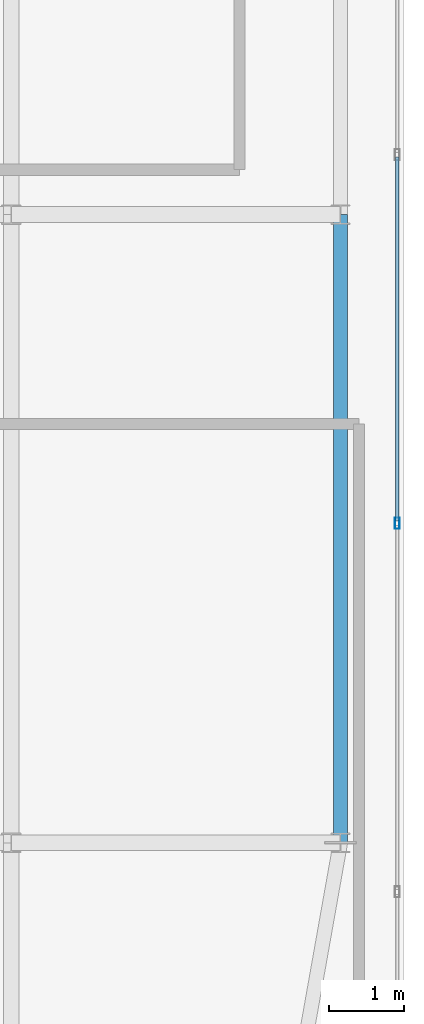
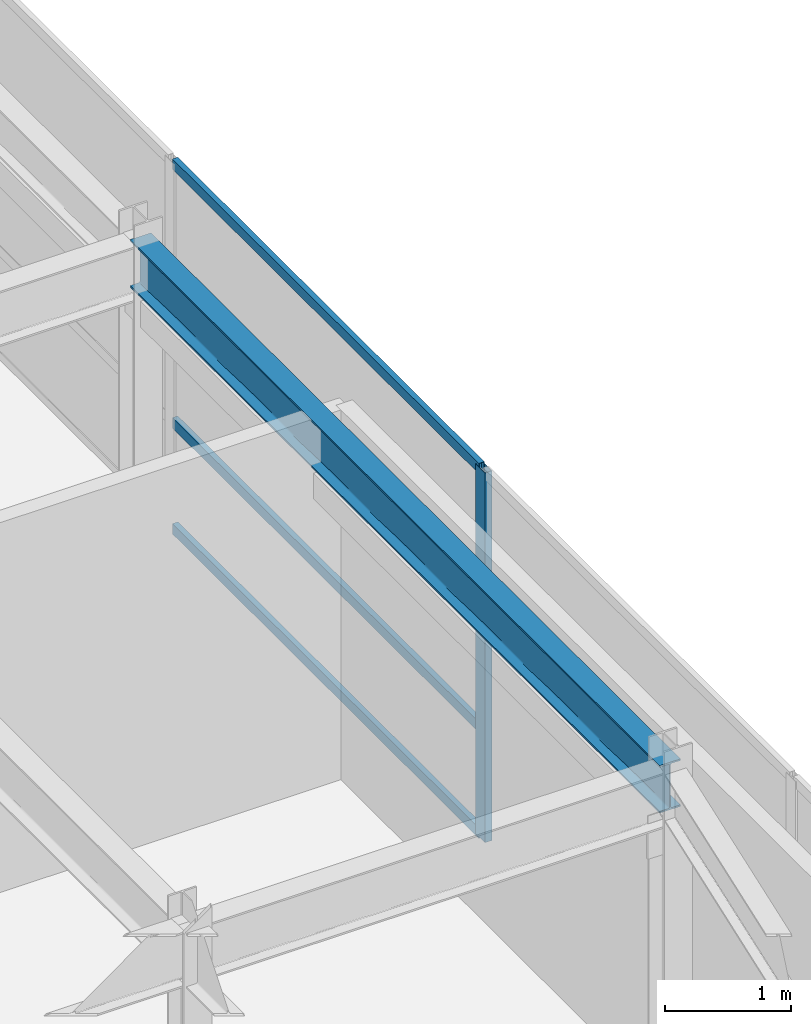
# One storey, part 22 of 36: 4 members, 1 beam, 1 element without a shape of its own.
"""IFC4 building model written with IfcOpenShell, lengths in metres."""

from ifc_helpers import new_model, si_unit, direction, frame, origin, origin_2d, place, context, subcontext, project, spatial, hollow_rectangle, i_section, extrude, source, transform, mapped, material, layer, layer_set, material_profile, profile_set, type_object, type_shapes, element, aggregate, save


model = new_model("IFC4")

# Units and contexts
model_context = context("Model", 3, precision=1e-05, world=origin(), true_north=direction((0.0, 1.0)))
body_context = subcontext(model_context, "Body", "Model", "MODEL_VIEW")
ifc_project = project(units=[si_unit("LENGTHUNIT", "METRE"), si_unit("AREAUNIT", "SQUARE_METRE"), si_unit("VOLUMEUNIT", "CUBIC_METRE"), si_unit("PLANEANGLEUNIT", "RADIAN"), si_unit("MASSUNIT", "GRAM", prefix="KILO")], contexts=[model_context])

# Site, building, storey
site_placement = place(None, origin())
site = spatial("IfcSite", under=ifc_project, at=site_placement, CompositionType="ELEMENT")
building_placement = place(site_placement, origin())
building = spatial("IfcBuilding", under=site, at=building_placement, Name="Tolvann Quenvar Hotel", CompositionType="ELEMENT")
storey_placement = place(building_placement, frame((0.0, 0.0, 294.75)))
storey = spatial("IfcBuildingStorey", under=building, at=storey_placement, Name="L78", CompositionType="ELEMENT", Elevation=294.75)

# Beam
ifc_material_1 = material(Name="Steel Grade 350", Category="steel")
ifc_material_profile_1 = material_profile(ifc_material_1, i_section(OverallWidth=0.19091796875, OverallDepth=0.4599609375, WebThickness=0.010009765625, FlangeThickness=0.01611328125, FilletRadius=0.011474609375, at=origin_2d()), Name="460UB82")
ifc_profile_set_1 = profile_set([ifc_material_profile_1], Name="Steel Grade 350")
beam_type = type_object("IfcBeamType", Name="BM_SPAND_460UB82", PredefinedType="SPANDREL", material=ifc_profile_set_1)
shared_shape_1 = source(origin(), body_context, "Body", "SweptSolid", [
    extrude(i_section(OverallWidth=0.19091796875, OverallDepth=0.4599609375, WebThickness=0.010009765625, FlangeThickness=0.01611328125, FilletRadius=0.011474609375, at=origin_2d()), origin(), (0.0, 0.0, 1.0), 8.39990234375),
])
type_shapes(beam_type, [shared_shape_1])
beam_placement = place(storey_placement, frame((37.14990234375, 16.0, 3.35009765625), z_axis=(0.0, 1.0, 0.0), x_axis=(-1.0, 0.0, 0.0)))
element("IfcBeam", 1, at=beam_placement, inside=storey, type_object=beam_type, Name="BM-L78-NS-G4-G5", PredefinedType="SPANDREL", context=body_context, shape_type="MappedRepresentation", body=[
    mapped(shared_shape_1, transform((0.0, 0.0, 0.0), x_axis=(1.0, 0.0, 0.0), y_axis=(0.0, 1.0, 0.0), z_axis=(0.0, 0.0, 1.0), scale=1.0)),
])

# Curtain wall, members
ifc_material_2 = material(Name="Thermally broken anodised architectural aluminium 6063-T6 and laminated low-E glass", Category="aluminium")
ifc_layer = layer(ifc_material_2, 0.179931640625)
ifc_layer_set = layer_set([ifc_layer], Name="Thermally broken anodised architectural aluminium 6063-T6 and laminated low-E glass")
curtain_wall_type = type_object("IfcCurtainWallType", Name="CW_SYS_LANT_06", PredefinedType="USERDEFINED", material=ifc_layer_set)
curtain_wall_placement = place(storey_placement, origin())
curtain_wall = element("IfcCurtainWall", 2, at=curtain_wall_placement, inside=storey, type_object=curtain_wall_type, Name="Curtain Wall CW-LANT-06 (CWR-L78-E09)", ObjectType="UNITISED CURTAIN WALL", PredefinedType="USERDEFINED")
ifc_material_3 = material(Name="Anodised architectural aluminium 6063-T6 framing", Category="aluminium")
ifc_material_profile_2 = material_profile(ifc_material_3, hollow_rectangle(XDim=0.06494140625, YDim=0.14990234375, WallThickness=0.00390625, at=origin_2d()), Name="150x65x4RHS")
ifc_profile_set_2 = profile_set([ifc_material_profile_2], Name="Anodised architectural aluminium 6063-T6 framing")
member_type_1 = type_object("IfcMemberType", Name="CW_MULL_150x65", PredefinedType="MULLION", material=ifc_profile_set_2)
shared_shape_2 = source(origin(), body_context, "Body", "SweptSolid", [
    extrude(hollow_rectangle(XDim=0.06494140625, YDim=0.14990234375, WallThickness=0.00390625, at=origin_2d()), origin(), (0.0, 0.0, 1.0), 3.580078125),
])
type_shapes(member_type_1, [shared_shape_2])
member_1_placement = place(storey_placement, frame((37.909912109375, 20.2724609375, 0.0), z_axis=(0.0, 0.0, 1.0), x_axis=(-1.0, 0.0, 0.0)))
member_1 = element("IfcMember", 3, at=member_1_placement, type_object=member_type_1, Name="CW-LANT-06 mullion 3", PredefinedType="MULLION", context=body_context, shape_type="MappedRepresentation", body=[
    mapped(shared_shape_2, transform((0.0, 0.0, 0.0), x_axis=(1.0, 0.0, 0.0), y_axis=(0.0, 1.0, 0.0), z_axis=(0.0, 0.0, 1.0), scale=1.0)),
])
ifc_material_profile_3 = material_profile(ifc_material_3, hollow_rectangle(XDim=0.050048828125, YDim=0.10009765625, WallThickness=0.0029296875, at=origin_2d()), Name="100x50x3RHS")
ifc_profile_set_3 = profile_set([ifc_material_profile_3], Name="Anodised architectural aluminium 6063-T6 framing")
member_type_2 = type_object("IfcMemberType", Name="CW_TRAN_100x50", PredefinedType="USERDEFINED", material=ifc_profile_set_3)
shared_shape_3 = source(origin(), body_context, "Body", "SweptSolid", [
    extrude(hollow_rectangle(XDim=0.050048828125, YDim=0.10009765625, WallThickness=0.0029296875, at=origin_2d()), origin(), (0.0, 0.0, 1.0), 4.862548828125),
])
type_shapes(member_type_2, [shared_shape_3])
member_2_placement = place(storey_placement, frame((37.909912109375, 20.304931640625, 0.02490234375), z_axis=(0.0, 1.0, 0.0), x_axis=(-1.0, 0.0, 0.0)))
member_2 = element("IfcMember", 4, at=member_2_placement, type_object=member_type_2, Name="CW-LANT-06 transom 3.1", ObjectType="TRANSOM", PredefinedType="USERDEFINED", context=body_context, shape_type="MappedRepresentation", body=[
    mapped(shared_shape_3, transform((0.0, 0.0, 0.0), x_axis=(1.0, 0.0, 0.0), y_axis=(0.0, 1.0, 0.0), z_axis=(0.0, 0.0, 1.0), scale=1.0)),
])
member_3_placement = place(storey_placement, frame((37.909912109375, 20.304931640625, 1.050048828125), z_axis=(0.0, 1.0, 0.0), x_axis=(-1.0, 0.0, 0.0)))
member_3 = element("IfcMember", 5, at=member_3_placement, type_object=member_type_2, Name="CW-LANT-06 transom 3.2", ObjectType="TRANSOM", PredefinedType="USERDEFINED", context=body_context, shape_type="MappedRepresentation", body=[
    mapped(shared_shape_3, transform((0.0, 0.0, 0.0), x_axis=(1.0, 0.0, 0.0), y_axis=(0.0, 1.0, 0.0), z_axis=(0.0, 0.0, 1.0), scale=1.0)),
])
member_4_placement = place(storey_placement, frame((37.909912109375, 20.304931640625, 3.554931640625), z_axis=(0.0, 1.0, 0.0), x_axis=(-1.0, 0.0, 0.0)))
member_4 = element("IfcMember", 6, at=member_4_placement, type_object=member_type_2, Name="CW-LANT-06 transom 3.3", ObjectType="TRANSOM", PredefinedType="USERDEFINED", context=body_context, shape_type="MappedRepresentation", body=[
    mapped(shared_shape_3, transform((0.0, 0.0, 0.0), x_axis=(1.0, 0.0, 0.0), y_axis=(0.0, 1.0, 0.0), z_axis=(0.0, 0.0, 1.0), scale=1.0)),
])
aggregate(curtain_wall, [member_1, member_2, member_3, member_4])

save(model, "model.ifc")
